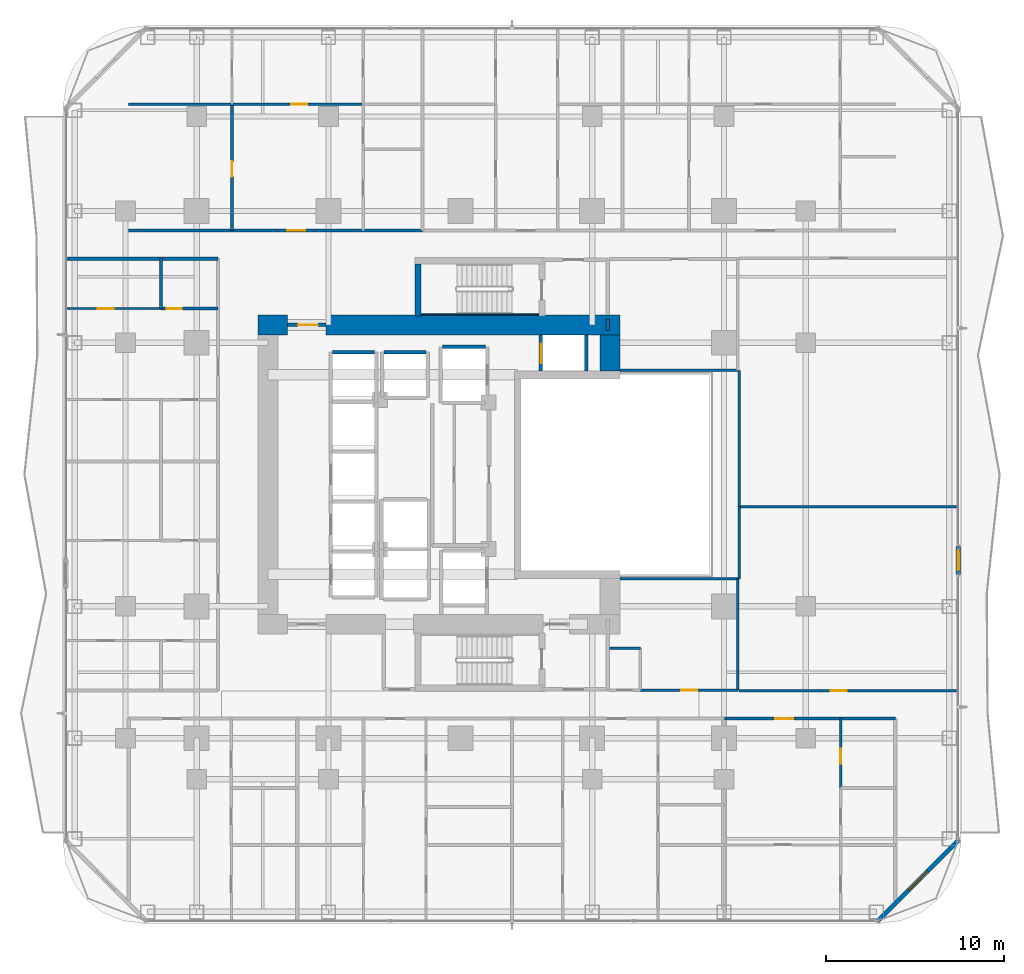
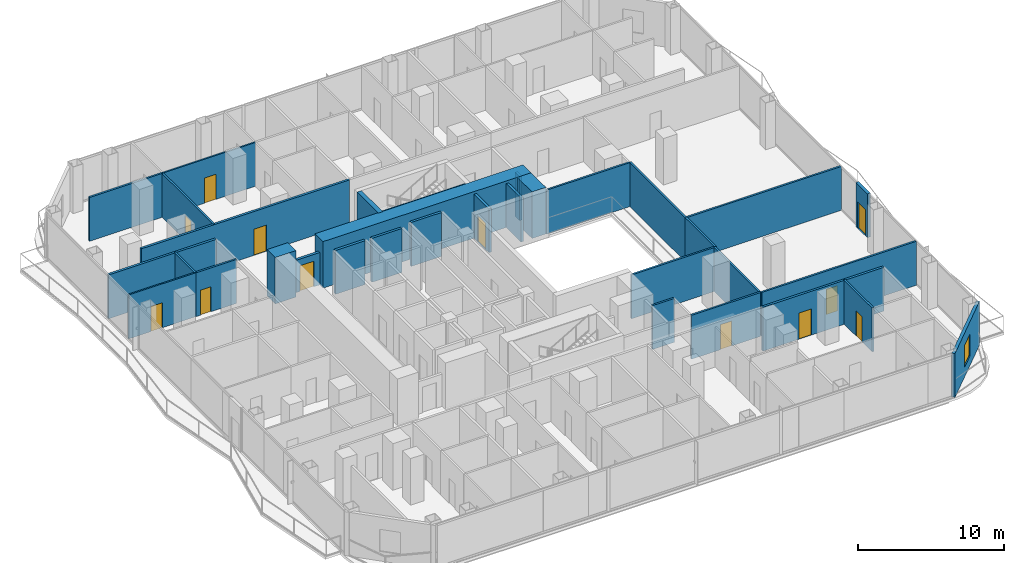
# One storey, part 23 of 30: 33 walls, 12 doors, 1 window, 13 openings.
"""IFC4 building model written with IfcOpenShell, lengths in metres."""

from ifc_helpers import new_model, si_unit, direction, frame, frame_2d, origin, place, context, subcontext, project, spatial, rectangle, extrude, material, layer, layer_set, type_object, element, fill, save


model = new_model("IFC4")

# Units and contexts
model_context = context("Model", 3, precision=1e-05, world=origin(), true_north=direction((0.0, 1.0)))
body_context = subcontext(model_context, "Body", "Model", "MODEL_VIEW")
ifc_project = project(units=[si_unit("LENGTHUNIT", "METRE"), si_unit("AREAUNIT", "SQUARE_METRE"), si_unit("VOLUMEUNIT", "CUBIC_METRE"), si_unit("PLANEANGLEUNIT", "RADIAN"), si_unit("MASSUNIT", "GRAM", prefix="KILO")], contexts=[model_context])

# Site, building, storey
site_placement = place(None, origin())
site = spatial("IfcSite", under=ifc_project, at=site_placement, CompositionType="ELEMENT")
building_placement = place(site_placement, origin())
building = spatial("IfcBuilding", under=site, at=building_placement, Name="Khorvyn Point Tower", CompositionType="ELEMENT")
storey_placement = place(building_placement, frame((0.0, 0.0, 30.60009765625)))
storey = spatial("IfcBuildingStorey", under=building, at=storey_placement, Name="L08", CompositionType="ELEMENT", Elevation=30.60009765625)

# Wall, opening, door
ifc_material_1 = material(Name="Double acoustic gypsum on twin steel stud", Category="steel")
ifc_layer_1 = layer(ifc_material_1, 0.179931640625)
ifc_layer_set_1 = layer_set([ifc_layer_1], Name="Acoustic Double-Stud Apartment Demising Wall 180")
wall_type_1 = type_object("IfcWallType", Name="Acoustic Double-Stud Apartment Demising Wall 180", PredefinedType="PARTITIONING", material=ifc_layer_set_1)
wall_1_placement = place(storey_placement, frame((-18.6201171875, 13.699951171875, 0.0), z_axis=(0.0, 0.0, 1.0), x_axis=(1.0, 0.0, 0.0)))
wall_1 = element("IfcWall", 1, at=wall_1_placement, inside=storey, type_object=wall_type_1, Name="Wall", PredefinedType="PARTITIONING", context=body_context, shape_type="SweptSolid", body=[
    extrude(rectangle(XDim=16.4990234375, YDim=0.179931640625, at=frame_2d((8.24951171875, 0.0))), origin(), (0.0, 0.0, 1.0), 3.679931640625),
])
opening_1_placement = place(wall_1_placement, frame((8.91015625, 0.0, 0.0)))
opening_1 = element("IfcOpeningElement", 2, at=opening_1_placement, cuts=wall_1, Name="Opening ID-AP60", PredefinedType="OPENING", context=body_context, shape_type="SweptSolid", body=[
    extrude(rectangle(XDim=1.0, YDim=2.199951171875, at=frame_2d((0.5, 1.10009765625))), frame((0.0, 0.099853515625, 0.0), z_axis=(0.0, -1.0, 0.0), x_axis=(1.0, 0.0, 0.0)), (0.0, 0.0, 1.0), 0.199951171875),
])
ifc_material_2 = material(Name="Engineered hardwood fire-rated leaf", Category="wood")
door_type_1 = type_object("IfcDoorType", Name="Acoustic Solid-Core Timber Apartment Entrance Door 1000x2200", OperationType="NOTDEFINED", PredefinedType="DOOR", material=ifc_material_2)
door_1_placement = place(opening_1_placement, origin())
door_1 = element("IfcDoor", 3, at=door_1_placement, inside=storey, type_object=door_type_1, Name="Door", OperationType="SINGLE_SWING_LEFT", OverallHeight=2.199951171875, OverallWidth=1.0, PredefinedType="DOOR", context=body_context, shape_type="SweptSolid", body=[
    extrude(rectangle(XDim=1.0, YDim=2.199951171875, at=frame_2d((0.5, 1.10009765625))), frame((0.0, 0.02490234375, 0.0), z_axis=(0.0, -1.0, 0.0), x_axis=(1.0, 0.0, 0.0)), (0.0, 0.0, 1.0), 0.050048828125),
])
fill(opening_1, door_1)

wall_2_placement = place(storey_placement, frame((14.822021484375, -13.699951171875, 0.0), z_axis=(0.0, 0.0, 1.0), x_axis=(1.0, 0.0, 0.0)))
wall_2 = element("IfcWall", 4, at=wall_2_placement, inside=storey, type_object=wall_type_1, Name="Wall", PredefinedType="PARTITIONING", context=body_context, shape_type="SweptSolid", body=[
    extrude(rectangle(XDim=9.597900390625, YDim=0.179931640625, at=frame_2d((4.798828125, 0.0))), origin(), (0.0, 0.0, 1.0), 3.679931640625),
])
opening_2_placement = place(wall_2_placement, frame((2.859375, 0.0, 0.0)))
opening_2 = element("IfcOpeningElement", 5, at=opening_2_placement, cuts=wall_2, Name="Opening ID-AP60", PredefinedType="OPENING", context=body_context, shape_type="SweptSolid", body=[
    extrude(rectangle(XDim=1.0, YDim=2.199951171875, at=frame_2d((0.5, 1.10009765625))), frame((0.0, 0.099853515625, 0.0), z_axis=(0.0, -1.0, 0.0), x_axis=(1.0, 0.0, 0.0)), (0.0, 0.0, 1.0), 0.199951171875),
])
door_2_placement = place(opening_2_placement, origin())
door_2 = element("IfcDoor", 6, at=door_2_placement, inside=storey, type_object=door_type_1, Name="Door", OperationType="SINGLE_SWING_RIGHT", OverallHeight=2.199951171875, OverallWidth=1.0, PredefinedType="DOOR", context=body_context, shape_type="SweptSolid", body=[
    extrude(rectangle(XDim=1.0, YDim=2.199951171875, at=frame_2d((0.5, 1.10009765625))), frame((0.0, 0.02490234375, 0.0), z_axis=(0.0, -1.0, 0.0), x_axis=(1.0, 0.0, 0.0)), (0.0, 0.0, 1.0), 0.050048828125),
])
fill(opening_2, door_2)

# Wall
wall_3_placement = place(storey_placement, frame((-22.1298828125, 12.1201171875, 0.0), z_axis=(0.0, 0.0, 1.0), x_axis=(1.0, 0.0, 0.0)))
element("IfcWall", 7, at=wall_3_placement, inside=storey, type_object=wall_type_1, Name="Wall", PredefinedType="PARTITIONING", context=body_context, shape_type="SweptSolid", body=[
    extrude(rectangle(XDim=8.52978515625, YDim=0.179931640625, at=frame_2d((4.264892578125, 0.0))), origin(), (0.0, 0.0, 1.0), 3.679931640625),
])

# Wall, opening, door
ifc_material_3 = material(Name="Pale anodised aluminium rainscreen on steel stud", Category="steel")
ifc_layer_2 = layer(ifc_material_3, 0.239990234375)
ifc_layer_set_2 = layer_set([ifc_layer_2], Name="Anodised Aluminium Insulated Corner Spandrel Wall 240")
wall_type_2 = type_object("IfcWallType", Name="Anodised Aluminium Insulated Corner Spandrel Wall 240", PredefinedType="SOLIDWALL", material=ifc_layer_set_2)
wall_4_placement = place(storey_placement, frame((27.949951171875, -4.0400390625, 0.0), z_axis=(0.0, 0.0, 1.0), x_axis=(0.0, -1.0, 0.0)))
wall_4 = element("IfcWall", 8, at=wall_4_placement, inside=storey, type_object=wall_type_2, Name="L08 East Outdoor Threshold Wall", PredefinedType="SOLIDWALL", context=body_context, shape_type="SweptSolid", body=[
    extrude(rectangle(XDim=1.580078125, YDim=0.239990234375, at=frame_2d((0.7900390625, 0.0))), origin(), (0.0, 0.0, 1.0), 3.679931640625),
])
opening_3_placement = place(wall_4_placement, frame((0.239990234375, 0.0, 0.0)))
opening_3 = element("IfcOpeningElement", 9, at=opening_3_placement, cuts=wall_4, Name="Opening BD-1122", PredefinedType="OPENING", context=body_context, shape_type="SweptSolid", body=[
    extrude(rectangle(XDim=1.10009765625, YDim=2.199951171875, at=frame_2d((0.550048828125, 1.10009765625))), frame((0.0, 0.1298828125, 0.0), z_axis=(0.0, -1.0, 0.0), x_axis=(1.0, 0.0, 0.0)), (0.0, 0.0, 1.0), 0.260009765625),
])
ifc_material_4 = material(Name="Anodised aluminium 6063-T6 and laminated Low-E glass", Category="aluminium")
door_type_2 = type_object("IfcDoorType", Name="Glazed Balcony and Terrace Threshold Door 1100x2200", OperationType="NOTDEFINED", PredefinedType="DOOR", material=ifc_material_4)
door_3_placement = place(opening_3_placement, origin())
door_3 = element("IfcDoor", 10, at=door_3_placement, inside=storey, type_object=door_type_2, Name="L08 East Glazed Balcony Outdoor Door", OperationType="SINGLE_SWING_LEFT", OverallHeight=2.199951171875, OverallWidth=1.10009765625, PredefinedType="DOOR", context=body_context, shape_type="SweptSolid", body=[
    extrude(rectangle(XDim=1.10009765625, YDim=2.199951171875, at=frame_2d((0.550048828125, 1.10009765625))), frame((0.0, 0.02490234375, 0.0), z_axis=(0.0, -1.0, 0.0), x_axis=(1.0, 0.0, 0.0)), (0.0, 0.0, 1.0), 0.050048828125),
])
fill(opening_3, door_3)

# Wall, opening, window
wall_5_placement = place(storey_placement, frame((27.992431640625, -20.507568359375, 0.0), z_axis=(0.0, 0.0, 1.0), x_axis=(-0.707106781187, -0.707106781187, 0.0)))
wall_5 = element("IfcWall", 11, at=wall_5_placement, inside=storey, type_object=wall_type_2, Name="L08 Rounded Corner Wall SE", PredefinedType="SOLIDWALL", context=body_context, shape_type="SweptSolid", body=[
    extrude(rectangle(XDim=6.48388671875, YDim=0.239990234375, at=frame_2d((3.241943359375, 0.0))), origin(), (0.0, 0.0, 1.0), 3.679931640625),
])
opening_4_placement = place(wall_5_placement, frame((2.491943359375, 0.0, 0.800048828125)))
opening_4 = element("IfcOpeningElement", 12, at=opening_4_placement, cuts=wall_5, Name="Opening WN-1518", PredefinedType="OPENING", context=body_context, shape_type="SweptSolid", body=[
    extrude(rectangle(XDim=1.5, YDim=1.85009765625, at=frame_2d((0.75, 0.925048828125))), frame((0.0, 0.1298828125, 0.0), z_axis=(0.0, -1.0, 0.0), x_axis=(1.0, 0.0, 0.0)), (0.0, 0.0, 1.0), 0.260009765625),
])
window_type = type_object("IfcWindowType", Name="Anodised Aluminium Rounded-Corner Panoramic Window 1500x1850", PartitioningType="SINGLE_PANEL", PredefinedType="WINDOW", material=ifc_material_4)
window_placement = place(opening_4_placement, origin())
window = element("IfcWindow", 13, at=window_placement, inside=storey, type_object=window_type, Name="L08 Corner Panoramic Window SE", OverallHeight=1.85009765625, OverallWidth=1.5, PartitioningType="SINGLE_PANEL", PredefinedType="WINDOW", context=body_context, shape_type="SweptSolid", body=[
    extrude(rectangle(XDim=1.5, YDim=1.85009765625, at=frame_2d((0.75, 0.925048828125))), frame((0.0, 0.030029296875, 0.0), z_axis=(0.0, -1.0, 0.0), x_axis=(1.0, 0.0, 0.0)), (0.0, 0.0, 1.0), 0.06005859375),
])
fill(opening_4, window)

# Wall, opening, door
ifc_material_5 = material(Name="Concrete C40/50", Category="concrete")
ifc_layer_3 = layer(ifc_material_5, 0.199951171875)
ifc_layer_set_3 = layer_set([ifc_layer_3], Name="Concrete C40/50 Fire-Lobby Compartment Wall 200")
wall_type_3 = type_object("IfcWallType", Name="Concrete C40/50 Fire-Lobby Compartment Wall 200", PredefinedType="SOLIDWALL", material=ifc_layer_set_3)
wall_6_placement = place(storey_placement, frame((-9.699951171875, 8.39990234375, 0.0), z_axis=(0.0, 0.0, 1.0), x_axis=(1.0, 0.0, 0.0)))
wall_6 = element("IfcWall", 14, at=wall_6_placement, inside=storey, type_object=wall_type_3, Name="Wall", PredefinedType="SOLIDWALL", context=body_context, shape_type="SweptSolid", body=[
    extrude(rectangle(XDim=2.14990234375, YDim=0.199951171875, at=frame_2d((1.074951171875, 0.0))), origin(), (0.0, 0.0, 1.0), 2.719970703125),
])
opening_5_placement = place(wall_6_placement, frame((0.597900390625, 0.0, 0.0)))
opening_5 = element("IfcOpeningElement", 15, at=opening_5_placement, cuts=wall_6, Name="Opening ID-FL90", PredefinedType="OPENING", context=body_context, shape_type="SweptSolid", body=[
    extrude(rectangle(XDim=1.10009765625, YDim=2.14990234375, at=frame_2d((0.550048828125, 1.074951171875))), frame((0.0, 0.10986328125, 0.0), z_axis=(0.0, -1.0, 0.0), x_axis=(1.0, 0.0, 0.0)), (0.0, 0.0, 1.0), 0.219970703125),
])
ifc_material_6 = material(Name="Galvanised powder-coated steel", Category="steel")
door_type_3 = type_object("IfcDoorType", Name="Fire-Rated Steel Lobby and Stair Door 1100x2150", OperationType="NOTDEFINED", PredefinedType="DOOR", material=ifc_material_6)
door_4_placement = place(opening_5_placement, origin())
door_4 = element("IfcDoor", 16, at=door_4_placement, inside=storey, type_object=door_type_3, Name="Door", OperationType="SINGLE_SWING_RIGHT", OverallHeight=2.14990234375, OverallWidth=1.10009765625, PredefinedType="DOOR", context=body_context, shape_type="SweptSolid", body=[
    extrude(rectangle(XDim=1.10009765625, YDim=2.14990234375, at=frame_2d((0.550048828125, 1.074951171875))), frame((0.0, 0.02490234375, 0.0), z_axis=(0.0, -1.0, 0.0), x_axis=(1.0, 0.0, 0.0)), (0.0, 0.0, 1.0), 0.050048828125),
])
fill(opening_5, door_4)

# Walls
wall_7_placement = place(storey_placement, frame((8.280029296875, 8.10009765625, 0.0), z_axis=(0.0, 0.0, 1.0), x_axis=(0.0, 1.0, 0.0)))
element("IfcWall", 17, at=wall_7_placement, inside=storey, type_object=wall_type_3, Name="Wall", PredefinedType="SOLIDWALL", context=body_context, shape_type="SweptSolid", body=[
    extrude(rectangle(XDim=0.625, YDim=0.199951171875, at=frame_2d((0.3125, 0.0))), origin(), (0.0, 0.0, 1.0), 3.679931640625),
])
ifc_layer_4 = layer(ifc_material_5, 0.25)
ifc_layer_set_4 = layer_set([ifc_layer_4], Name="Concrete C40/50 Stair Inner Cheek Structural Wall 250")
wall_type_4 = type_object("IfcWallType", Name="Concrete C40/50 Stair Inner Cheek Structural Wall 250", PredefinedType="SHEAR", material=ifc_layer_set_4)
wall_8_placement = place(storey_placement, frame((-2.199951171875, 8.987548828125, 0.0), z_axis=(0.0, 0.0, 1.0), x_axis=(1.0, 0.0, 0.0)))
element("IfcWall", 18, at=wall_8_placement, inside=storey, type_object=wall_type_4, Name="Wall", PredefinedType="SHEAR", context=body_context, shape_type="SweptSolid", body=[
    extrude(rectangle(XDim=6.599853515625, YDim=0.074951171875, at=frame_2d((3.2998046875, 0.0))), origin(), (0.0, 0.0, 1.0), 3.89990234375),
])
ifc_layer_5 = layer(ifc_material_5, 0.35009765625)
ifc_layer_set_5 = layer_set([ifc_layer_5], Name="Concrete C40/50 Stair Shaft Structural Wall 350")
wall_type_5 = type_object("IfcWallType", Name="Concrete C40/50 Stair Shaft Structural Wall 350", PredefinedType="SHEAR", material=ifc_layer_set_5)
wall_9_placement = place(storey_placement, frame((-2.3798828125, 8.89990234375, 0.0), z_axis=(0.0, 0.0, 1.0), x_axis=(0.0, 1.0, 0.0)))
element("IfcWall", 19, at=wall_9_placement, inside=storey, type_object=wall_type_5, Name="L08 ST-02 West Shaft Wall", PredefinedType="SHEAR", context=body_context, shape_type="SweptSolid", body=[
    extrude(rectangle(XDim=2.925048828125, YDim=0.35009765625, at=frame_2d((1.46240234375, 0.0))), origin(), (0.0, 0.0, 1.0), 3.89990234375),
])
ifc_layer_6 = layer(ifc_material_5, 0.199951171875)
ifc_layer_set_6 = layer_set([ifc_layer_6], Name="Concrete C40/50 Structural Hoistway and Stair Shaft Wall 200")
wall_type_6 = type_object("IfcWallType", Name="Concrete C40/50 Structural Hoistway and Stair Shaft Wall 200", PredefinedType="SHEAR", material=ifc_layer_set_6)
wall_10_placement = place(storey_placement, frame((-7.175048828125, 6.875, 0.0), z_axis=(0.0, 0.0, 1.0), x_axis=(1.0, 0.0, 0.0)))
element("IfcWall", 20, at=wall_10_placement, inside=storey, type_object=wall_type_6, Name="Wall", PredefinedType="SHEAR", context=body_context, shape_type="SweptSolid", body=[
    extrude(rectangle(XDim=2.35009765625, YDim=0.199951171875, at=frame_2d((1.175048828125, 0.0))), origin(), (0.0, 0.0, 1.0), 3.679931640625),
])
wall_11_placement = place(storey_placement, frame((-4.27490234375, 6.875, 0.0), z_axis=(0.0, 0.0, 1.0), x_axis=(1.0, 0.0, 0.0)))
element("IfcWall", 21, at=wall_11_placement, inside=storey, type_object=wall_type_6, Name="Wall", PredefinedType="SHEAR", context=body_context, shape_type="SweptSolid", body=[
    extrude(rectangle(XDim=2.349853515625, YDim=0.199951171875, at=frame_2d((1.1748046875, 0.0))), origin(), (0.0, 0.0, 1.0), 3.679931640625),
])
wall_12_placement = place(storey_placement, frame((-1.0, 7.175048828125, 0.0), z_axis=(0.0, 0.0, 1.0), x_axis=(1.0, 0.0, 0.0)))
element("IfcWall", 22, at=wall_12_placement, inside=storey, type_object=wall_type_6, Name="Wall", PredefinedType="SHEAR", context=body_context, shape_type="SweptSolid", body=[
    extrude(rectangle(XDim=2.39990234375, YDim=0.199951171875, at=frame_2d((1.199951171875, 0.0))), origin(), (0.0, 0.0, 1.0), 3.679931640625),
])

# Wall, opening, door
wall_13_placement = place(storey_placement, frame((4.52490234375, 5.824951171875, 0.0), z_axis=(0.0, 0.0, 1.0), x_axis=(0.0, 1.0, 0.0)))
wall_13 = element("IfcWall", 23, at=wall_13_placement, inside=storey, type_object=wall_type_6, Name="Wall", PredefinedType="SHEAR", context=body_context, shape_type="SweptSolid", body=[
    extrude(rectangle(XDim=2.025146484375, YDim=0.199951171875, at=frame_2d((1.0126953125, 0.0))), origin(), (0.0, 0.0, 1.0), 3.679931640625),
])
opening_6_placement = place(wall_13_placement, frame((0.425048828125, 0.0, 0.0)))
opening_6 = element("IfcOpeningElement", 24, at=opening_6_placement, cuts=wall_13, Name="Opening LD-1122", PredefinedType="OPENING", context=body_context, shape_type="SweptSolid", body=[
    extrude(rectangle(XDim=1.10009765625, YDim=2.199951171875, at=frame_2d((0.550048828125, 1.10009765625))), frame((0.0, 0.10986328125, 0.0), z_axis=(0.0, -1.0, 0.0), x_axis=(1.0, 0.0, 0.0)), (0.0, 0.0, 1.0), 0.219970703125),
])
ifc_material_7 = material(Name="Stainless steel 1.4301", Category="steel")
door_type_4 = type_object("IfcDoorType", Name="Stainless Steel Automatic Sliding Lift Landing Door 1100x2200", OperationType="SLIDING_TO_LEFT", PredefinedType="DOOR", material=ifc_material_7)
door_5_placement = place(opening_6_placement, origin())
door_5 = element("IfcDoor", 25, at=door_5_placement, inside=storey, type_object=door_type_4, Name="L08 FF-02 Sliding Lift Landing Door", OperationType="SLIDING_TO_LEFT", OverallHeight=2.199951171875, OverallWidth=1.10009765625, PredefinedType="DOOR", context=body_context, shape_type="SweptSolid", body=[
    extrude(rectangle(XDim=1.10009765625, YDim=2.199951171875, at=frame_2d((0.550048828125, 1.10009765625))), frame((0.0, 0.02490234375, 0.0), z_axis=(0.0, -1.0, 0.0), x_axis=(1.0, 0.0, 0.0)), (0.0, 0.0, 1.0), 0.050048828125),
])
fill(opening_6, door_5)

# Walls
wall_14_placement = place(storey_placement, frame((7.074951171875, 5.824951171875, 0.0), z_axis=(0.0, 0.0, 1.0), x_axis=(0.0, 1.0, 0.0)))
element("IfcWall", 26, at=wall_14_placement, inside=storey, type_object=wall_type_6, Name="Wall", PredefinedType="SHEAR", context=body_context, shape_type="SweptSolid", body=[
    extrude(rectangle(XDim=2.025146484375, YDim=0.199951171875, at=frame_2d((1.0126953125, 0.0))), origin(), (0.0, 0.0, 1.0), 3.679931640625),
])
ifc_material_8 = material(Name="Concrete C50/60", Category="concrete")
ifc_layer_7 = layer(ifc_material_8, 1.10009765625)
ifc_layer_set_7 = layer_set([ifc_layer_7], Name="Concrete C50/60 Core Shear Wall 1100")
wall_type_7 = type_object("IfcWallType", Name="Concrete C50/60 Core Shear Wall 1100", PredefinedType="SHEAR", material=ifc_layer_set_7)
wall_15_placement = place(storey_placement, frame((-11.35009765625, 8.39990234375, 0.0), z_axis=(0.0, 0.0, 1.0), x_axis=(1.0, 0.0, 0.0)))
element("IfcWall", 27, at=wall_15_placement, inside=storey, type_object=wall_type_7, Name="Wall", PredefinedType="SHEAR", context=body_context, shape_type="SweptSolid", body=[
    extrude(rectangle(XDim=1.650146484375, YDim=1.10009765625, at=frame_2d((0.8251953125, 0.0))), origin(), (0.0, 0.0, 1.0), 3.89990234375),
])
wall_16_placement = place(storey_placement, frame((-7.550048828125, 8.39990234375, 0.0), z_axis=(0.0, 0.0, 1.0), x_axis=(1.0, 0.0, 0.0)))
element("IfcWall", 28, at=wall_16_placement, inside=storey, type_object=wall_type_7, Name="Wall", PredefinedType="SHEAR", context=body_context, shape_type="SweptSolid", body=[
    extrude(rectangle(XDim=16.5, YDim=1.10009765625, at=frame_2d((8.25, 0.0))), origin(), (0.0, 0.0, 1.0), 3.89990234375),
])
wall_17_placement = place(storey_placement, frame((8.39990234375, 5.824951171875, 0.0), z_axis=(0.0, 0.0, 1.0), x_axis=(0.0, 1.0, 0.0)))
element("IfcWall", 29, at=wall_17_placement, inside=storey, type_object=wall_type_7, Name="Wall", PredefinedType="SHEAR", context=body_context, shape_type="SweptSolid", body=[
    extrude(rectangle(XDim=2.025146484375, YDim=1.10009765625, at=frame_2d((1.0126953125, 0.0))), origin(), (0.0, 0.0, 1.0), 3.89990234375),
])

# Wall, opening, door
ifc_material_9 = material(Name="Gypsum plasterboard on steel stud", Category="steel")
ifc_layer_8 = layer(ifc_material_9, 0.1201171875)
ifc_layer_set_8 = layer_set([ifc_layer_8], Name="Gypsum Acoustic Stud Room Partition Wall 120")
wall_type_8 = type_object("IfcWallType", Name="Gypsum Acoustic Stud Room Partition Wall 120", PredefinedType="PARTITIONING", material=ifc_layer_set_8)
wall_18_placement = place(storey_placement, frame((-12.818115234375, 20.7900390625, 0.0), z_axis=(0.0, 0.0, 1.0), x_axis=(1.0, 0.0, 0.0)))
wall_18 = element("IfcWall", 30, at=wall_18_placement, inside=storey, type_object=wall_type_8, Name="Wall", PredefinedType="PARTITIONING", context=body_context, shape_type="SweptSolid", body=[
    extrude(rectangle(XDim=7.3681640625, YDim=0.1201171875, at=frame_2d((3.68408203125, 0.0))), origin(), (0.0, 0.0, 1.0), 3.679931640625),
])
opening_7_placement = place(wall_18_placement, frame((3.32177734375, 0.0, 0.0)))
opening_7 = element("IfcOpeningElement", 31, at=opening_7_placement, cuts=wall_18, Name="Opening ID-RM90", PredefinedType="OPENING", context=body_context, shape_type="SweptSolid", body=[
    extrude(rectangle(XDim=0.89990234375, YDim=2.10009765625, at=frame_2d((0.449951171875, 1.050048828125))), frame((0.0, 0.070068359375, 0.0), z_axis=(0.0, -1.0, 0.0), x_axis=(1.0, 0.0, 0.0)), (0.0, 0.0, 1.0), 0.14013671875),
])
ifc_material_10 = material(Name="Engineered oak veneer timber", Category="wood")
door_type_5 = type_object("IfcDoorType", Name="Flush Engineered Timber Room Door 900x2100", OperationType="NOTDEFINED", PredefinedType="DOOR", material=ifc_material_10)
door_6_placement = place(opening_7_placement, origin())
door_6 = element("IfcDoor", 32, at=door_6_placement, inside=storey, type_object=door_type_5, Name="Door", OperationType="SINGLE_SWING_RIGHT", OverallHeight=2.10009765625, OverallWidth=0.89990234375, PredefinedType="DOOR", context=body_context, shape_type="SweptSolid", body=[
    extrude(rectangle(XDim=0.89990234375, YDim=2.10009765625, at=frame_2d((0.449951171875, 1.050048828125))), frame((0.0, 0.02490234375, 0.0), z_axis=(0.0, -1.0, 0.0), x_axis=(1.0, 0.0, 0.0)), (0.0, 0.0, 1.0), 0.050048828125),
])
fill(opening_7, door_6)

wall_19_placement = place(storey_placement, frame((-22.1298828125, 9.320068359375, 0.0), z_axis=(0.0, 0.0, 1.0), x_axis=(1.0, 0.0, 0.0)))
wall_19 = element("IfcWall", 33, at=wall_19_placement, inside=storey, type_object=wall_type_8, Name="Wall", PredefinedType="PARTITIONING", context=body_context, shape_type="SweptSolid", body=[
    extrude(rectangle(XDim=5.32177734375, YDim=0.1201171875, at=frame_2d((2.660888671875, 0.0))), origin(), (0.0, 0.0, 1.0), 3.679931640625),
])
opening_8_placement = place(wall_19_placement, frame((1.76513671875, 0.0, 0.0)))
opening_8 = element("IfcOpeningElement", 34, at=opening_8_placement, cuts=wall_19, Name="Opening ID-RM90", PredefinedType="OPENING", context=body_context, shape_type="SweptSolid", body=[
    extrude(rectangle(XDim=0.89990234375, YDim=2.10009765625, at=frame_2d((0.449951171875, 1.050048828125))), frame((0.0, 0.070068359375, 0.0), z_axis=(0.0, -1.0, 0.0), x_axis=(1.0, 0.0, 0.0)), (0.0, 0.0, 1.0), 0.14013671875),
])
door_7_placement = place(opening_8_placement, origin())
door_7 = element("IfcDoor", 35, at=door_7_placement, inside=storey, type_object=door_type_5, Name="Door", OperationType="SINGLE_SWING_RIGHT", OverallHeight=2.10009765625, OverallWidth=0.89990234375, PredefinedType="DOOR", context=body_context, shape_type="SweptSolid", body=[
    extrude(rectangle(XDim=0.89990234375, YDim=2.10009765625, at=frame_2d((0.449951171875, 1.050048828125))), frame((0.0, 0.02490234375, 0.0), z_axis=(0.0, -1.0, 0.0), x_axis=(1.0, 0.0, 0.0)), (0.0, 0.0, 1.0), 0.050048828125),
])
fill(opening_8, door_7)

ifc_material_11 = material(Name="Moisture-resistant gypsum and cement board", Category="gypsum")
ifc_layer_9 = layer(ifc_material_11, 0.14990234375)
ifc_layer_set_9 = layer_set([ifc_layer_9], Name="Moisture-Resistant Wet-Room Partition Wall 150")
wall_type_9 = type_object("IfcWallType", Name="Moisture-Resistant Wet-Room Partition Wall 150", PredefinedType="PARTITIONING", material=ifc_layer_set_9)
wall_20_placement = place(storey_placement, frame((10.10009765625, -12.10009765625, 0.0), z_axis=(0.0, 0.0, 1.0), x_axis=(1.0, 0.0, 0.0)))
wall_20 = element("IfcWall", 36, at=wall_20_placement, inside=storey, type_object=wall_type_9, Name="Wall", PredefinedType="PARTITIONING", context=body_context, shape_type="SweptSolid", body=[
    extrude(rectangle(XDim=5.47998046875, YDim=0.14990234375, at=frame_2d((2.739990234375, 0.0))), origin(), (0.0, 0.0, 1.0), 3.679931640625),
])
opening_9_placement = place(wall_20_placement, frame((2.2900390625, 0.0, 0.0)))
opening_9 = element("IfcOpeningElement", 37, at=opening_9_placement, cuts=wall_20, Name="Opening ID-RM90", PredefinedType="OPENING", context=body_context, shape_type="SweptSolid", body=[
    extrude(rectangle(XDim=0.89990234375, YDim=2.10009765625, at=frame_2d((0.449951171875, 1.050048828125))), frame((0.0, 0.0849609375, 0.0), z_axis=(0.0, -1.0, 0.0), x_axis=(1.0, 0.0, 0.0)), (0.0, 0.0, 1.0), 0.169921875),
])
door_8_placement = place(opening_9_placement, origin())
door_8 = element("IfcDoor", 38, at=door_8_placement, inside=storey, type_object=door_type_5, Name="Door", OperationType="SINGLE_SWING_LEFT", OverallHeight=2.10009765625, OverallWidth=0.89990234375, PredefinedType="DOOR", context=body_context, shape_type="SweptSolid", body=[
    extrude(rectangle(XDim=0.89990234375, YDim=2.10009765625, at=frame_2d((0.449951171875, 1.050048828125))), frame((0.0, 0.02490234375, 0.0), z_axis=(0.0, -1.0, 0.0), x_axis=(1.0, 0.0, 0.0)), (0.0, 0.0, 1.0), 0.050048828125),
])
fill(opening_9, door_8)

wall_21_placement = place(storey_placement, frame((-12.818115234375, 13.699951171875, 0.0), z_axis=(0.0, 0.0, 1.0), x_axis=(0.0, 1.0, 0.0)))
wall_21 = element("IfcWall", 39, at=wall_21_placement, inside=storey, type_object=wall_type_9, Name="Wall", PredefinedType="PARTITIONING", context=body_context, shape_type="SweptSolid", body=[
    extrude(rectangle(XDim=7.090087890625, YDim=0.14990234375, at=frame_2d((3.544921875, 0.0))), origin(), (0.0, 0.0, 1.0), 3.679931640625),
])
opening_10_placement = place(wall_21_placement, frame((3.0302734375, 0.0, 0.0)))
opening_10 = element("IfcOpeningElement", 40, at=opening_10_placement, cuts=wall_21, Name="Opening ID-WC85", PredefinedType="OPENING", context=body_context, shape_type="SweptSolid", body=[
    extrude(rectangle(XDim=0.85009765625, YDim=2.10009765625, at=frame_2d((0.425048828125, 1.050048828125))), frame((0.0, 0.0849609375, 0.0), z_axis=(0.0, -1.0, 0.0), x_axis=(1.0, 0.0, 0.0)), (0.0, 0.0, 1.0), 0.169921875),
])
ifc_material_12 = material(Name="High-pressure laminate on moisture-resistant core", Category="wood")
door_type_6 = type_object("IfcDoorType", Name="Moisture-Resistant Accessible Washroom Door 850x2100", OperationType="NOTDEFINED", PredefinedType="DOOR", material=ifc_material_12)
door_9_placement = place(opening_10_placement, origin())
door_9 = element("IfcDoor", 41, at=door_9_placement, inside=storey, type_object=door_type_6, Name="Door", OperationType="SINGLE_SWING_LEFT", OverallHeight=2.10009765625, OverallWidth=0.85009765625, PredefinedType="DOOR", context=body_context, shape_type="SweptSolid", body=[
    extrude(rectangle(XDim=0.85009765625, YDim=2.10009765625, at=frame_2d((0.425048828125, 1.050048828125))), frame((0.0, 0.02490234375, 0.0), z_axis=(0.0, -1.0, 0.0), x_axis=(1.0, 0.0, 0.0)), (0.0, 0.0, 1.0), 0.050048828125),
])
fill(opening_10, door_9)

wall_22_placement = place(storey_placement, frame((21.35498046875, -17.59912109375, 0.0), z_axis=(0.0, 0.0, 1.0), x_axis=(0.0, 1.0, 0.0)))
wall_22 = element("IfcWall", 42, at=wall_22_placement, inside=storey, type_object=wall_type_9, Name="Wall", PredefinedType="PARTITIONING", context=body_context, shape_type="SweptSolid", body=[
    extrude(rectangle(XDim=3.899169921875, YDim=0.14990234375, at=frame_2d((1.94970703125, 0.0))), origin(), (0.0, 0.0, 1.0), 3.679931640625),
])
opening_11_placement = place(wall_22_placement, frame((1.35400390625, 0.0, 0.0)))
opening_11 = element("IfcOpeningElement", 43, at=opening_11_placement, cuts=wall_22, Name="Opening ID-WC85", PredefinedType="OPENING", context=body_context, shape_type="SweptSolid", body=[
    extrude(rectangle(XDim=0.85009765625, YDim=2.10009765625, at=frame_2d((0.425048828125, 1.050048828125))), frame((0.0, 0.0849609375, 0.0), z_axis=(0.0, -1.0, 0.0), x_axis=(1.0, 0.0, 0.0)), (0.0, 0.0, 1.0), 0.169921875),
])
door_10_placement = place(opening_11_placement, origin())
door_10 = element("IfcDoor", 44, at=door_10_placement, inside=storey, type_object=door_type_6, Name="Door", OperationType="SINGLE_SWING_RIGHT", OverallHeight=2.10009765625, OverallWidth=0.85009765625, PredefinedType="DOOR", context=body_context, shape_type="SweptSolid", body=[
    extrude(rectangle(XDim=0.85009765625, YDim=2.10009765625, at=frame_2d((0.425048828125, 1.050048828125))), frame((0.0, 0.02490234375, 0.0), z_axis=(0.0, -1.0, 0.0), x_axis=(1.0, 0.0, 0.0)), (0.0, 0.0, 1.0), 0.050048828125),
])
fill(opening_11, door_10)

wall_23_placement = place(storey_placement, frame((-16.80810546875, 9.320068359375, 0.0), z_axis=(0.0, 0.0, 1.0), x_axis=(1.0, 0.0, 0.0)))
wall_23 = element("IfcWall", 45, at=wall_23_placement, inside=storey, type_object=wall_type_9, Name="Wall", PredefinedType="PARTITIONING", context=body_context, shape_type="SweptSolid", body=[
    extrude(rectangle(XDim=3.2080078125, YDim=0.14990234375, at=frame_2d((1.60400390625, 0.0))), origin(), (0.0, 0.0, 1.0), 3.679931640625),
])
opening_12_placement = place(wall_23_placement, frame((0.329833984375, 0.0, 0.0)))
opening_12 = element("IfcOpeningElement", 46, at=opening_12_placement, cuts=wall_23, Name="Opening ID-WC85", PredefinedType="OPENING", context=body_context, shape_type="SweptSolid", body=[
    extrude(rectangle(XDim=0.85009765625, YDim=2.10009765625, at=frame_2d((0.425048828125, 1.050048828125))), frame((0.0, 0.0849609375, 0.0), z_axis=(0.0, -1.0, 0.0), x_axis=(1.0, 0.0, 0.0)), (0.0, 0.0, 1.0), 0.169921875),
])
door_11_placement = place(opening_12_placement, origin())
door_11 = element("IfcDoor", 47, at=door_11_placement, inside=storey, type_object=door_type_6, Name="Door", OperationType="SINGLE_SWING_LEFT", OverallHeight=2.10009765625, OverallWidth=0.85009765625, PredefinedType="DOOR", context=body_context, shape_type="SweptSolid", body=[
    extrude(rectangle(XDim=0.85009765625, YDim=2.10009765625, at=frame_2d((0.425048828125, 1.050048828125))), frame((0.0, 0.02490234375, 0.0), z_axis=(0.0, -1.0, 0.0), x_axis=(1.0, 0.0, 0.0)), (0.0, 0.0, 1.0), 0.050048828125),
])
fill(opening_12, door_11)

wall_24_placement = place(storey_placement, frame((15.64990234375, -12.139892578125, 0.0), z_axis=(0.0, 0.0, 1.0), x_axis=(1.0, 0.0, 0.0)))
wall_24 = element("IfcWall", 48, at=wall_24_placement, inside=storey, type_object=wall_type_9, Name="Wall", PredefinedType="PARTITIONING", context=body_context, shape_type="SweptSolid", body=[
    extrude(rectangle(XDim=12.27001953125, YDim=0.14990234375, at=frame_2d((6.135009765625, 0.0))), origin(), (0.0, 0.0, 1.0), 3.679931640625),
])
opening_13_placement = place(wall_24_placement, frame((5.150390625, 0.0, 0.0)))
opening_13 = element("IfcOpeningElement", 49, at=opening_13_placement, cuts=wall_24, Name="Opening ID-RM90", PredefinedType="OPENING", context=body_context, shape_type="SweptSolid", body=[
    extrude(rectangle(XDim=0.89990234375, YDim=2.10009765625, at=frame_2d((0.449951171875, 1.050048828125))), frame((0.0, 0.0849609375, 0.0), z_axis=(0.0, -1.0, 0.0), x_axis=(1.0, 0.0, 0.0)), (0.0, 0.0, 1.0), 0.169921875),
])
door_12_placement = place(opening_13_placement, origin())
door_12 = element("IfcDoor", 50, at=door_12_placement, inside=storey, type_object=door_type_5, Name="Door", OperationType="SINGLE_SWING_LEFT", OverallHeight=2.10009765625, OverallWidth=0.89990234375, PredefinedType="DOOR", context=body_context, shape_type="SweptSolid", body=[
    extrude(rectangle(XDim=0.89990234375, YDim=2.10009765625, at=frame_2d((0.449951171875, 1.050048828125))), frame((0.0, 0.02490234375, 0.0), z_axis=(0.0, -1.0, 0.0), x_axis=(1.0, 0.0, 0.0)), (0.0, 0.0, 1.0), 0.050048828125),
])
fill(opening_13, door_12)

# Walls
wall_25_placement = place(storey_placement, frame((8.360107421875, -9.75, 0.0), z_axis=(0.0, 0.0, 1.0), x_axis=(1.0, 0.0, 0.0)))
element("IfcWall", 51, at=wall_25_placement, inside=storey, type_object=wall_type_9, Name="Wall", PredefinedType="PARTITIONING", context=body_context, shape_type="SweptSolid", body=[
    extrude(rectangle(XDim=1.739990234375, YDim=0.14990234375, at=frame_2d((0.8701171875, 0.0))), origin(), (0.0, 0.0, 1.0), 3.679931640625),
])
wall_26_placement = place(storey_placement, frame((15.580078125, -12.10009765625, 0.0), z_axis=(0.0, 0.0, 1.0), x_axis=(0.0, 1.0, 0.0)))
element("IfcWall", 52, at=wall_26_placement, inside=storey, type_object=wall_type_9, Name="Wall", PredefinedType="PARTITIONING", context=body_context, shape_type="SweptSolid", body=[
    extrude(rectangle(XDim=6.25, YDim=0.14990234375, at=frame_2d((3.125, 0.0))), origin(), (0.0, 0.0, 1.0), 3.679931640625),
])
for number, where, z_axis, x_axis, name in (
    (53, (8.9599609375, -5.85009765625, 0.0), (0.0, 0.0, 1.0), (1.0, 0.0, 0.0), "Wall"),
    (54, (8.9599609375, 5.85009765625, 0.0), (0.0, 0.0, 1.0), (1.0, 0.0, 0.0), "Wall"),
):
    element("IfcWall", number, at=place(storey_placement, frame(where, z_axis=z_axis, x_axis=x_axis)), inside=storey, type_object=wall_type_9, Name=name, PredefinedType="PARTITIONING", context=body_context, shape_type="SweptSolid", body=[
        extrude(rectangle(XDim=6.6201171875, YDim=0.14990234375, at=frame_2d((3.31005859375, 0.0))), origin(), (0.0, 0.0, 1.0), 3.679931640625),
    ])
wall_27_placement = place(storey_placement, frame((-18.6201171875, 20.7900390625, 0.0), z_axis=(0.0, 0.0, 1.0), x_axis=(1.0, 0.0, 0.0)))
element("IfcWall", 55, at=wall_27_placement, inside=storey, type_object=wall_type_9, Name="Wall", PredefinedType="PARTITIONING", context=body_context, shape_type="SweptSolid", body=[
    extrude(rectangle(XDim=5.802001953125, YDim=0.14990234375, at=frame_2d((2.90087890625, 0.0))), origin(), (0.0, 0.0, 1.0), 3.679931640625),
])
wall_28_placement = place(storey_placement, frame((-16.80810546875, 9.320068359375, 0.0), z_axis=(0.0, 0.0, 1.0), x_axis=(0.0, 1.0, 0.0)))
element("IfcWall", 56, at=wall_28_placement, inside=storey, type_object=wall_type_9, Name="Wall", PredefinedType="PARTITIONING", context=body_context, shape_type="SweptSolid", body=[
    extrude(rectangle(XDim=2.800048828125, YDim=0.14990234375, at=frame_2d((1.39990234375, 0.0))), origin(), (0.0, 0.0, 1.0), 3.679931640625),
])
wall_29_placement = place(storey_placement, frame((15.64990234375, -5.85009765625, 0.0), z_axis=(0.0, 0.0, 1.0), x_axis=(0.0, 1.0, 0.0)))
element("IfcWall", 57, at=wall_29_placement, inside=storey, type_object=wall_type_9, Name="Wall", PredefinedType="PARTITIONING", context=body_context, shape_type="SweptSolid", body=[
    extrude(rectangle(XDim=4.050048828125, YDim=0.14990234375, at=frame_2d((2.02490234375, 0.0))), origin(), (0.0, 0.0, 1.0), 3.679931640625),
])
wall_30_placement = place(storey_placement, frame((15.64990234375, -1.800048828125, 0.0), z_axis=(0.0, 0.0, 1.0), x_axis=(0.0, 1.0, 0.0)))
element("IfcWall", 58, at=wall_30_placement, inside=storey, type_object=wall_type_9, Name="Wall", PredefinedType="PARTITIONING", context=body_context, shape_type="SweptSolid", body=[
    extrude(rectangle(XDim=7.650146484375, YDim=0.14990234375, at=frame_2d((3.8251953125, 0.0))), origin(), (0.0, 0.0, 1.0), 3.679931640625),
])
wall_31_placement = place(storey_placement, frame((15.64990234375, -1.800048828125, 0.0), z_axis=(0.0, 0.0, 1.0), x_axis=(1.0, 0.0, 0.0)))
element("IfcWall", 59, at=wall_31_placement, inside=storey, type_object=wall_type_9, Name="Wall", PredefinedType="PARTITIONING", context=body_context, shape_type="SweptSolid", body=[
    extrude(rectangle(XDim=12.280029296875, YDim=0.14990234375, at=frame_2d((6.14013671875, 0.0))), origin(), (0.0, 0.0, 1.0), 3.679931640625),
])

save(model, "model.ifc")
